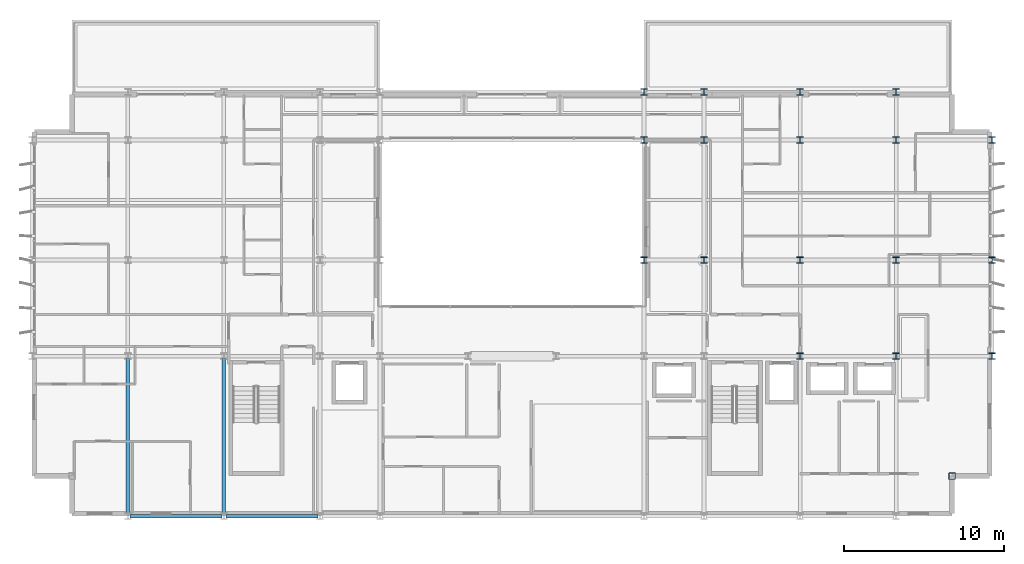
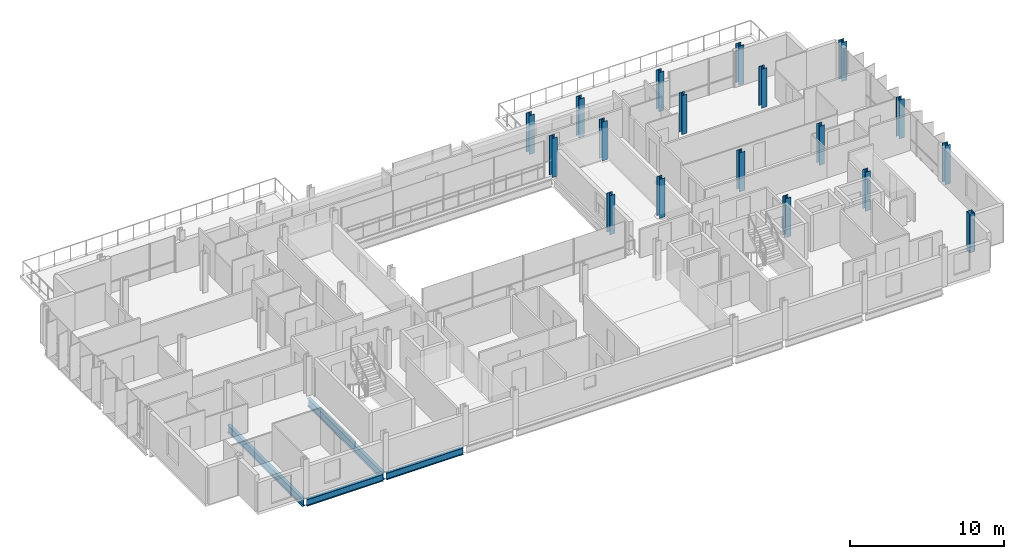
# One storey, part 2 of 38: 18 columns, 4 beams.
"""IFC4 building model written with IfcOpenShell, lengths in metres."""

import ifcopenshell
import ifcopenshell.guid

model = None  # the IFC model being written
_history = None  # IfcOwnerHistory: only IFC2X3 demands one
_inside = {}  # id of a spatial element -> (the spatial element, [elements in it])
_under = {}  # id of a project, library or spatial element -> (it, [spatial elements below it])
_declared = {}  # id of a project -> (the project, [libraries it declares])
_typed = {}  # id of a type object -> (the type object, [elements of that type])
_made_of = {}  # id of a material, layer set ... -> (it, [elements and type objects made of it])


def new_model(schema):
    """Start an empty IFC model of exactly this schema.

    Asked for "IFC4X3", IfcOpenShell would pick the latest addendum, in which some entities
    have other attributes; the version numbers below select the first issue.
    IFC2X3 requires an IfcOwnerHistory on every rooted entity: one is made here for all.
    """
    global model, _history
    if schema == "IFC4X3":
        model = ifcopenshell.file(schema_version=(4, 3, 0, 0))
    else:
        model = ifcopenshell.file(schema=schema)
    _inside.clear()
    _under.clear()
    _declared.clear()
    _typed.clear()
    _made_of.clear()
    _history = None
    if model.schema == "IFC2X3":
        org = make("IfcOrganization", Name="unknown")
        user = make(
            "IfcPersonAndOrganization",
            ThePerson=make("IfcPerson", FamilyName="unknown"),
            TheOrganization=org,
        )
        app = make(
            "IfcApplication",
            ApplicationDeveloper=org,
            Version="unknown",
            ApplicationFullName="unknown",
            ApplicationIdentifier="unknown",
        )
        _history = make(
            "IfcOwnerHistory",
            OwningUser=user,
            OwningApplication=app,
            ChangeAction="ADDED",
            CreationDate=0,
        )
    return model


def make(cls, **values):
    """One entity of the class cls with the attributes given. An attribute that is None is left unset."""
    return model.create_entity(
        cls, **{name: value for name, value in values.items() if value is not None}
    )


def rooted(cls, **values):
    """An entity with a GlobalId (a new one), such as an element, a storey or a relation."""
    return make(cls, GlobalId=ifcopenshell.guid.new(), OwnerHistory=_history, **values)


def si_unit(unit_type, name, prefix=None):
    """IfcSIUnit, for example si_unit("LENGTHUNIT", "METRE", prefix="MILLI")."""
    return make("IfcSIUnit", UnitType=unit_type, Prefix=prefix, Name=name)


def assignment(units):
    """IfcUnitAssignment: the units of a project."""
    return None if units is None else make("IfcUnitAssignment", Units=units)


def point(xyz):
    """IfcCartesianPoint."""
    return None if xyz is None else make("IfcCartesianPoint", Coordinates=xyz)


def direction(xyz):
    """IfcDirection."""
    return None if xyz is None else make("IfcDirection", DirectionRatios=xyz)


def frame(location, z_axis=None, x_axis=None):
    """IfcAxis2Placement3D, a coordinate frame: its origin and axes. An axis left out is left unset."""
    return make(
        "IfcAxis2Placement3D",
        Location=point(location),
        Axis=direction(z_axis),
        RefDirection=direction(x_axis),
    )


def frame_2d(location, x_axis=None):
    """IfcAxis2Placement2D, a coordinate frame in the plane: its origin and x axis."""
    return make(
        "IfcAxis2Placement2D", Location=point(location), RefDirection=direction(x_axis)
    )


def origin():
    """The frame at (0, 0, 0) with its axes left unset."""
    return frame((0.0, 0.0, 0.0))


def origin_2d():
    """The frame at (0, 0) in the plane with its x axis left unset."""
    return frame_2d((0.0, 0.0))


def place(relative_to, where):
    """IfcLocalPlacement: puts the frame where relative to a parent placement (None: the world)."""
    return make(
        "IfcLocalPlacement", PlacementRelTo=relative_to, RelativePlacement=where
    )


def context(
    kind, dimensions, precision=None, world=None, true_north=None, identifier=None
):
    """IfcGeometricRepresentationContext, for example the 3D "Model" context."""
    return make(
        "IfcGeometricRepresentationContext",
        ContextIdentifier=identifier,
        ContextType=kind,
        CoordinateSpaceDimension=dimensions,
        Precision=precision,
        WorldCoordinateSystem=world,
        TrueNorth=true_north,
    )


def subcontext(parent, identifier, kind, view, scale=None):
    """IfcGeometricRepresentationSubContext, for example "Body" below "Model"."""
    return make(
        "IfcGeometricRepresentationSubContext",
        ContextIdentifier=identifier,
        ContextType=kind,
        ParentContext=parent,
        TargetScale=scale,
        TargetView=view,
    )


def project(units=None, contexts=None):
    """IfcProject with its units and contexts."""
    return rooted(
        "IfcProject",
        Name="project",
        RepresentationContexts=contexts,
        UnitsInContext=assignment(units),
    )


def spatial(cls, under=None, at=None, **own):
    """A site, building, storey or space (cls), placed at a placement, below another one or the project."""
    s = rooted(cls, ObjectPlacement=at, **own)
    if under is not None:
        _under.setdefault(under.id(), (under, []))[1].append(s)
    return s


def profile(cls, at=None, kind="AREA", **sizes):
    """A parametric profile (cls). Its sizes go by their IFC names, for example OverallWidth=200.0."""
    return make(cls, ProfileType=kind, Position=at, **sizes)


def hollow_rectangle(**sizes):
    """IfcRectangleHollowProfileDef."""
    return profile("IfcRectangleHollowProfileDef", **sizes)


def i_section(**sizes):
    """IfcIShapeProfileDef."""
    return profile("IfcIShapeProfileDef", **sizes)


def extrude(swept, where, along, depth):
    """IfcExtrudedAreaSolid: the profile swept, set in the frame where, extruded along a direction by depth."""
    return make(
        "IfcExtrudedAreaSolid",
        SweptArea=swept,
        Position=where,
        ExtrudedDirection=direction(along),
        Depth=depth,
    )


def shape(context_of_items, identifier, shape_type, items):
    """IfcShapeRepresentation: the items that make up one representation, for example the "Body"."""
    return make(
        "IfcShapeRepresentation",
        ContextOfItems=context_of_items,
        RepresentationIdentifier=identifier,
        RepresentationType=shape_type,
        Items=items,
    )


def material(Name=None, Category=None):
    """IfcMaterial."""
    return make("IfcMaterial", Name=Name, Category=Category)


def material_profile(
    of_material, cross_section, Name=None, Category=None, Priority=None
):
    """IfcMaterialProfile: a cross section and its material."""
    return make(
        "IfcMaterialProfile",
        Name=Name,
        Material=of_material,
        Profile=cross_section,
        Priority=Priority,
        Category=Category,
    )


def profile_set(profiles, Name=None, composite=None):
    """IfcMaterialProfileSet."""
    return make(
        "IfcMaterialProfileSet",
        Name=Name,
        MaterialProfiles=profiles,
        CompositeProfile=composite,
    )


def made_of(thing, what):
    """Note that an element or type object is made of a material, layer set ...; save() writes the relation."""
    if what is not None:
        _made_of.setdefault(what.id(), (what, []))[1].append(thing)
    return thing


def type_object(cls, material=None, **own):
    """A type object (cls), such as IfcWallType, which elements share."""
    return made_of(rooted(cls, **own), material)


def element(
    cls,
    number,
    at=None,
    inside=None,
    cuts=None,
    type_object=None,
    material=None,
    context=None,
    identifier="Body",
    shape_type=None,
    held_by="IfcProductDefinitionShape",
    body=None,
    shapes=None,
    **own,
):
    """One element of the class cls, such as IfcWall. Its Tag is "e" and its number.

    at: its placement. inside: the storey or other place that contains it. cuts: it is an
    opening in that element (IfcRelVoidsElement). A single representation is given by context,
    identifier, shape_type and body (its items); several are given by shapes. held_by: the class
    of the entity that holds the representations. save() writes the other relations.
    """
    e = rooted(cls, Tag="e%d" % number, ObjectPlacement=at, **own)
    if body is not None:
        shapes = [shape(context, identifier, shape_type, body)]
    if shapes is not None:
        e.Representation = make(held_by, Representations=shapes)
    if inside is not None:
        _inside.setdefault(inside.id(), (inside, []))[1].append(e)
    if cuts is not None:
        rooted(
            "IfcRelVoidsElement", RelatingBuildingElement=cuts, RelatedOpeningElement=e
        )
    if type_object is not None:
        _typed.setdefault(type_object.id(), (type_object, []))[1].append(e)
    return made_of(e, material)


def aggregate(whole, parts):
    """IfcRelAggregates: a whole, such as a stair, and the parts it consists of."""
    return rooted("IfcRelAggregates", RelatingObject=whole, RelatedObjects=parts)


def save(model, path):
    """Write the relations noted so far, then the file.

    IfcRelAggregates (storeys below a building ...), IfcRelContainedInSpatialStructure (elements
    in a storey), IfcRelDefinesByType, IfcRelAssociatesMaterial and IfcRelDeclares: one each for
    every whole, place, type object, material and project.
    """
    for whole, parts in _under.values():
        aggregate(whole, parts)
    for where, things in _inside.values():
        rooted(
            "IfcRelContainedInSpatialStructure",
            RelatedElements=things,
            RelatingStructure=where,
        )
    for kind, things in _typed.values():
        rooted("IfcRelDefinesByType", RelatedObjects=things, RelatingType=kind)
    for what, things in _made_of.values():
        rooted("IfcRelAssociatesMaterial", RelatedObjects=things, RelatingMaterial=what)
    for by, libraries in _declared.values():
        rooted("IfcRelDeclares", RelatingContext=by, RelatedDefinitions=libraries)
    model.write(path)


model = new_model("IFC4")

# Units and contexts
model_context = context("Model", 3, precision=1e-05, world=origin(), true_north=direction((0.0, 1.0)))
body_context = subcontext(model_context, "Body", "Model", "MODEL_VIEW")
ifc_project = project(units=[si_unit("LENGTHUNIT", "METRE"), si_unit("AREAUNIT", "SQUARE_METRE"), si_unit("VOLUMEUNIT", "CUBIC_METRE"), si_unit("PLANEANGLEUNIT", "RADIAN"), si_unit("MASSUNIT", "GRAM", prefix="KILO")], contexts=[model_context])

# Site, building, storey
site_placement = place(None, origin())
site = spatial("IfcSite", under=ifc_project, at=site_placement, CompositionType="ELEMENT")
building_placement = place(site_placement, origin())
building = spatial("IfcBuilding", under=site, at=building_placement, Name="Brevholm Reach", CompositionType="ELEMENT")
storey_placement = place(building_placement, frame((0.0, 0.0, 172.800048828125)))
storey = spatial("IfcBuildingStorey", under=building, at=storey_placement, Name="L52", CompositionType="ELEMENT", Elevation=172.800048828125)

# Columns
ifc_material_1 = material(Name="Structural Steel S460NH", Category="steel")
ifc_material_profile_1 = material_profile(ifc_material_1, hollow_rectangle(XDim=0.39990234375, YDim=0.39990234375, WallThickness=0.02001953125, InnerFilletRadius=0.011962890625, OuterFilletRadius=0.02392578125, at=origin_2d()), Name="SHS 400x400x20")
ifc_profile_set_1 = profile_set([ifc_material_profile_1], Name="Structural Steel S460NH")
column_type_1 = type_object("IfcColumnType", Name="COL-SHS2", PredefinedType="COLUMN", material=ifc_profile_set_1)
column_placement = place(storey_placement, frame((57.5, 2.5, 0.0), z_axis=(0.0, 0.0, 1.0), x_axis=(1.0, 0.0, 0.0)))
element("IfcColumn", 1, at=column_placement, inside=storey, type_object=column_type_1, Name="L52 Column 47", PredefinedType="COLUMN", context=body_context, shape_type="SweptSolid", body=[
    extrude(hollow_rectangle(XDim=0.39990234375, YDim=0.39990234375, WallThickness=0.02001953125, InnerFilletRadius=0.011962890625, OuterFilletRadius=0.02392578125, at=origin_2d()), origin(), (0.0, 0.0, 1.0), 3.099853515625),
])
ifc_material_2 = material(Name="Structural Steel S355J2", Category="steel")
ifc_material_profile_2 = material_profile(ifc_material_2, i_section(OverallWidth=0.39892578125, OverallDepth=0.3935546875, WebThickness=0.022705078125, FlangeThickness=0.03662109375, FilletRadius=0.01513671875, at=origin_2d()), Name="UKC 356x406x287")
ifc_profile_set_2 = profile_set([ifc_material_profile_2], Name="Structural Steel S355J2")
column_type_2 = type_object("IfcColumnType", Name="COL-UC5B", PredefinedType="COLUMN", material=ifc_profile_set_2)
for number, where, z_axis, x_axis, name in (
    (2, (38.25, 16.0, 0.0), (0.0, 0.0, 1.0), (1.0, 0.0, 0.0), "L52 Column 29"),
    (3, (38.25, 23.5, 0.0), (0.0, 0.0, 1.0), (1.0, 0.0, 0.0), "L52 Column 30"),
    (4, (38.25, 26.5, 0.0), (0.0, 0.0, 1.0), (1.0, 0.0, 0.0), "L52 Column 31"),
    (5, (42.0, 16.0, 0.0), (0.0, 0.0, 1.0), (1.0, 0.0, 0.0), "L52 Column 34"),
    (6, (42.0, 23.5, 0.0), (0.0, 0.0, 1.0), (1.0, 0.0, 0.0), "L52 Column 35"),
    (7, (42.0, 26.5, 0.0), (0.0, 0.0, 1.0), (1.0, 0.0, 0.0), "L52 Column 36"),
    (8, (48.0, 10.0, 0.0), (0.0, 0.0, 1.0), (1.0, 0.0, 0.0), "L52 Column 38"),
    (9, (48.0, 16.0, 0.0), (0.0, 0.0, 1.0), (1.0, 0.0, 0.0), "L52 Column 39"),
    (10, (48.0, 23.5, 0.0), (0.0, 0.0, 1.0), (1.0, 0.0, 0.0), "L52 Column 40"),
    (11, (48.0, 26.5, 0.0), (0.0, 0.0, 1.0), (1.0, 0.0, 0.0), "L52 Column 41"),
    (12, (54.0, 10.0, 0.0), (0.0, 0.0, 1.0), (1.0, 0.0, 0.0), "L52 Column 43"),
    (13, (54.0, 16.0, 0.0), (0.0, 0.0, 1.0), (1.0, 0.0, 0.0), "L52 Column 44"),
    (14, (54.0, 23.5, 0.0), (0.0, 0.0, 1.0), (1.0, 0.0, 0.0), "L52 Column 45"),
    (15, (54.0, 26.5, 0.0), (0.0, 0.0, 1.0), (1.0, 0.0, 0.0), "L52 Column 46"),
    (16, (60.0, 10.0, 0.0), (0.0, 0.0, 1.0), (1.0, 0.0, 0.0), "L52 Column 48"),
    (17, (60.0, 16.0, 0.0), (0.0, 0.0, 1.0), (1.0, 0.0, 0.0), "L52 Column 49"),
    (18, (60.0, 23.5, 0.0), (0.0, 0.0, 1.0), (1.0, 0.0, 0.0), "L52 Column 50"),
):
    element("IfcColumn", number, at=place(storey_placement, frame(where, z_axis=z_axis, x_axis=x_axis)), inside=storey, type_object=column_type_2, Name=name, PredefinedType="COLUMN", context=body_context, shape_type="SweptSolid", body=[
        extrude(i_section(OverallWidth=0.39892578125, OverallDepth=0.3935546875, WebThickness=0.022705078125, FlangeThickness=0.03662109375, FilletRadius=0.01513671875, at=origin_2d()), origin(), (0.0, 0.0, 1.0), 3.099853515625),
    ])

# Beams
ifc_material_3 = material(Name="Structural Steel S355J2", Category="steel")
ifc_material_profile_3 = material_profile(ifc_material_3, i_section(OverallWidth=0.209228515625, OverallDepth=0.533203125, WebThickness=0.010009765625, FlangeThickness=0.015625, FilletRadius=0.0126953125, at=origin_2d()), Name="UKB 533x210x92")
ifc_profile_set_3 = profile_set([ifc_material_profile_3], Name="Structural Steel S355J2")
beam_type_1 = type_object("IfcBeamType", Name="BM-SP533", PredefinedType="SPANDREL", material=ifc_profile_set_3)
for number, where, z_axis, x_axis, name in (
    (19, (6.1201171875, 0.0, -0.4765625), (1.0, 0.0, 0.0), (0.0, 1.0, 0.0), "L52 SP-02 Framing Beam"),
    (20, (12.1201171875, 0.0, -0.4765625), (1.0, 0.0, 0.0), (0.0, 1.0, 0.0), "L52 SP-02 Framing Beam"),
):
    element("IfcBeam", number, at=place(storey_placement, frame(where, z_axis=z_axis, x_axis=x_axis)), inside=storey, type_object=beam_type_1, Name=name, PredefinedType="SPANDREL", context=body_context, shape_type="SweptSolid", body=[
        extrude(i_section(OverallWidth=0.209228515625, OverallDepth=0.533203125, WebThickness=0.010009765625, FlangeThickness=0.015625, FilletRadius=0.0126953125, at=origin_2d()), origin(), (0.0, 0.0, 1.0), 5.759765625),
    ])
ifc_material_4 = material(Name="Structural Steel S355J2", Category="steel")
ifc_material_profile_4 = material_profile(ifc_material_4, i_section(OverallWidth=0.22900390625, OverallDepth=0.6123046875, WebThickness=0.011962890625, FlangeThickness=0.01953125, FilletRadius=0.0126953125, at=origin_2d()), Name="UKB 610x229x125")
ifc_profile_set_4 = profile_set([ifc_material_profile_4], Name="Structural Steel S355J2")
beam_type_2 = type_object("IfcBeamType", Name="BM-SP610", PredefinedType="SPANDREL", material=ifc_profile_set_4)
for number, where, z_axis, x_axis, name in (
    (21, (6.0, 0.1201171875, -0.51611328125), (0.0, 1.0, 0.0), (-1.0, 0.0, 0.0), "L52 SP-01 Framing Beam"),
    (22, (12.0, 0.1201171875, -0.51611328125), (0.0, 1.0, 0.0), (-1.0, 0.0, 0.0), "L52 SP-01 Framing Beam"),
):
    element("IfcBeam", number, at=place(storey_placement, frame(where, z_axis=z_axis, x_axis=x_axis)), inside=storey, type_object=beam_type_2, Name=name, PredefinedType="SPANDREL", context=body_context, shape_type="SweptSolid", body=[
        extrude(i_section(OverallWidth=0.22900390625, OverallDepth=0.6123046875, WebThickness=0.011962890625, FlangeThickness=0.01953125, FilletRadius=0.0126953125, at=origin_2d()), origin(), (0.0, 0.0, 1.0), 9.759765625),
    ])

save(model, "model.ifc")
